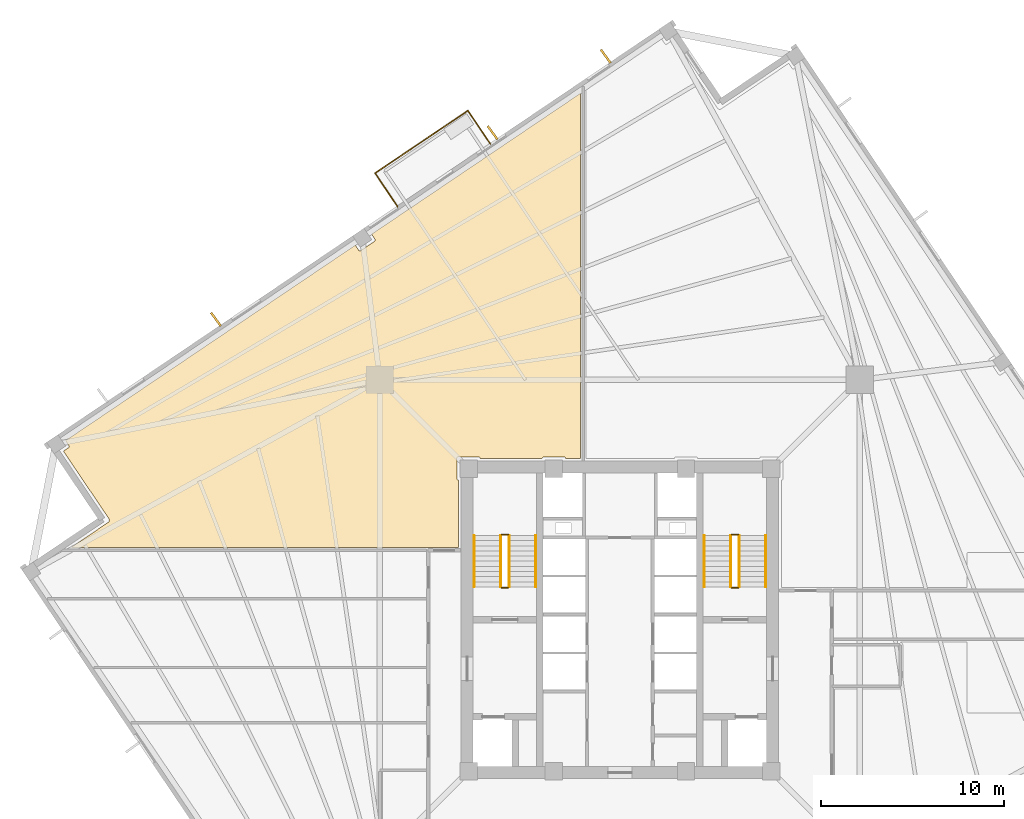
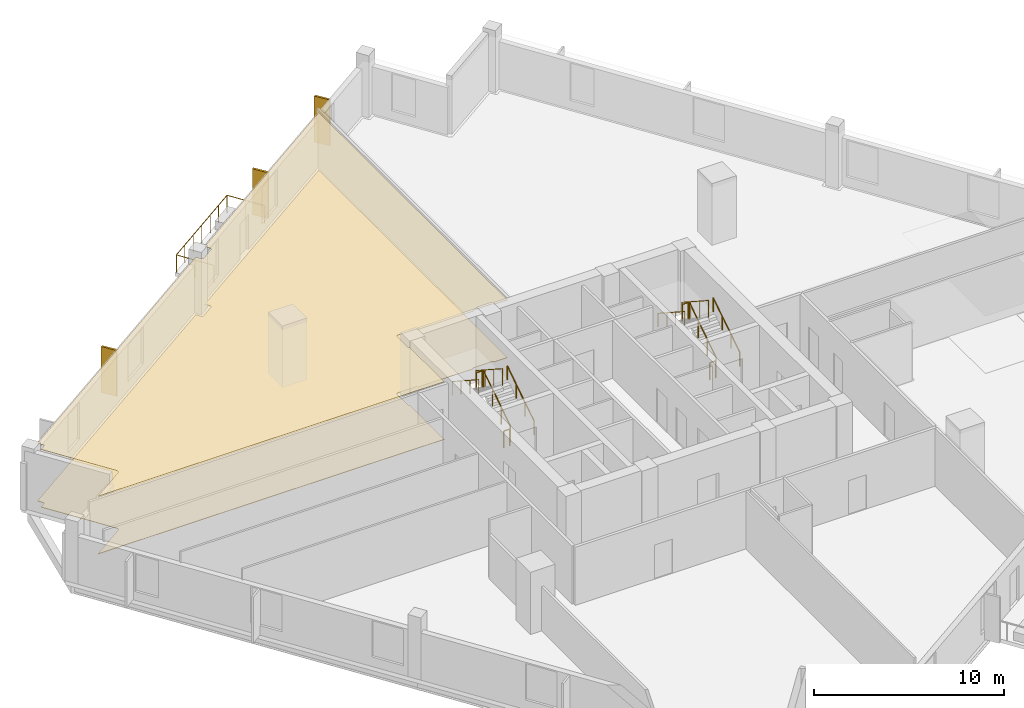
# One storey, part 7 of 8: 15 railings, 5 coverings.
"""IFC4 building model written with IfcOpenShell, lengths in metres."""

from ifc_helpers import new_model, si_unit, direction, frame, origin, origin_2d, place, context, subcontext, project, spatial, polyline, rectangle, circle, outline, extrude, source, transform, mapped, material, layer, layer_set, type_object, element, save


model = new_model("IFC4")

# Units and contexts
model_context = context("Model", 3, precision=1e-05, world=origin(), true_north=direction((0.0, 1.0)))
body_context = subcontext(model_context, "Body", "Model", "MODEL_VIEW")
ifc_project = project(units=[si_unit("LENGTHUNIT", "METRE"), si_unit("AREAUNIT", "SQUARE_METRE"), si_unit("VOLUMEUNIT", "CUBIC_METRE"), si_unit("PLANEANGLEUNIT", "RADIAN"), si_unit("MASSUNIT", "GRAM", prefix="KILO"), si_unit("THERMODYNAMICTEMPERATUREUNIT", "KELVIN")], contexts=[model_context])

# Site, building, storey
site_placement = place(None, origin())
site = spatial("IfcSite", under=ifc_project, at=site_placement, CompositionType="ELEMENT")
building_placement = place(site_placement, origin())
building = spatial("IfcBuilding", under=site, at=building_placement, Name="Kosmvard Interchange Tower", CompositionType="ELEMENT")
storey_placement = place(building_placement, frame((0.0, 0.0, 188.39990234375)))
storey = spatial("IfcBuildingStorey", under=building, at=storey_placement, Name="L45", CompositionType="ELEMENT", Elevation=188.39990234375)

# Coverings
ifc_material_1 = material(Name="Acoustic gypsum ceiling tile")
ifc_layer_1 = layer(ifc_material_1, 0.02490234375, Name="Acoustic gypsum ceiling tile")
ifc_layer_set_1 = layer_set([ifc_layer_1], Name="Acoustic gypsum ceiling tile")
covering_type_1 = type_object("IfcCoveringType", Name="Acoustic Perforated Suspended Ceiling 25", PredefinedType="CEILING", material=ifc_layer_set_1)
covering_1_placement = place(storey_placement, frame((0.0, 0.0, 3.715087890625)))
element("IfcCovering", 1, at=covering_1_placement, inside=storey, type_object=covering_type_1, Name="L45 Acoustic Ceiling L45-OPNW", PredefinedType="CEILING", context=body_context, shape_type="SweptSolid", body=[
    extrude(outline(polyline([(-30.33544921875, 9.199462890625), (-27.858154296875, 5.52685546875), (-27.856201171875, 5.5234375), (-27.852294921875, 5.51708984375), (-27.8486328125, 5.51025390625), (-27.845458984375, 5.503662109375), (-27.84228515625, 5.496337890625), (-27.83984375, 5.489501953125), (-27.837646484375, 5.48193359375), (-27.835693359375, 5.474853515625), (-27.834228515625, 5.467041015625), (-27.8330078125, 5.459716796875), (-27.832275390625, 5.451904296875), (-27.831787109375, 5.444580078125), (-27.831787109375, 5.436767578125), (-27.83203125, 5.429443359375), (-27.832763671875, 5.421630859375), (-27.833984375, 5.41455078125), (-27.83544921875, 5.40673828125), (-27.837158203125, 5.3994140625), (-27.83935546875, 5.39208984375), (-27.841796875, 5.385009765625), (-27.844970703125, 5.377685546875), (-27.847900390625, 5.37109375), (-27.8515625, 5.3642578125), (-27.85546875, 5.35791015625), (-27.859619140625, 5.351318359375), (-27.864013671875, 5.345458984375), (-27.869140625, 5.33935546875), (-27.8740234375, 5.333740234375), (-27.87939453125, 5.328369140625), (-27.884765625, 5.3232421875), (-27.890869140625, 5.318115234375), (-27.89697265625, 5.313720703125), (-27.900146484375, 5.3115234375), (-29.90380859375, 3.9599609375), (-10.10009765625, 3.9599609375), (-10.09619140625, 3.9599609375), (-10.088623046875, 3.95947265625), (-10.080810546875, 3.958740234375), (-10.07373046875, 3.957763671875), (-10.06591796875, 3.9560546875), (-10.061279296875, 3.955078125), (-8.804931640625, 3.955078125), (-8.804931640625, 7.614990234375), (-8.812744140625, 7.615478515625), (-8.820556640625, 7.616455078125), (-8.828125, 7.618408203125), (-8.835693359375, 7.62109375), (-8.8427734375, 7.62451171875), (-8.849365234375, 7.62841796875), (-8.855712890625, 7.633056640625), (-8.861572265625, 7.638427734375), (-8.866943359375, 7.644287109375), (-8.87158203125, 7.650634765625), (-8.87548828125, 7.6572265625), (-8.87890625, 7.664306640625), (-8.881591796875, 7.671875), (-8.883544921875, 7.679443359375), (-8.884521484375, 7.687255859375), (-8.885009765625, 7.695068359375), (-8.885009765625, 8.804931640625), (-8.884521484375, 8.812744140625), (-8.883544921875, 8.820556640625), (-8.881591796875, 8.828125), (-8.87890625, 8.835693359375), (-8.87548828125, 8.8427734375), (-8.87158203125, 8.849365234375), (-8.866943359375, 8.855712890625), (-8.861572265625, 8.861572265625), (-8.855712890625, 8.866943359375), (-8.849365234375, 8.87158203125), (-8.8427734375, 8.87548828125), (-8.835693359375, 8.87890625), (-8.828125, 8.881591796875), (-8.820556640625, 8.883544921875), (-8.812744140625, 8.884521484375), (-8.804931640625, 8.885009765625), (-7.695068359375, 8.885009765625), (-7.687255859375, 8.884521484375), (-7.679443359375, 8.883544921875), (-7.671875, 8.881591796875), (-7.664306640625, 8.87890625), (-7.6572265625, 8.87548828125), (-7.650634765625, 8.87158203125), (-7.644287109375, 8.866943359375), (-7.638427734375, 8.861572265625), (-7.633056640625, 8.855712890625), (-7.62841796875, 8.849365234375), (-7.62451171875, 8.8427734375), (-7.62109375, 8.835693359375), (-7.618408203125, 8.828125), (-7.616455078125, 8.820556640625), (-7.615478515625, 8.812744140625), (-7.614990234375, 8.804931640625), (-4.235107421875, 8.804931640625), (-4.234619140625, 8.812744140625), (-4.2333984375, 8.820556640625), (-4.2314453125, 8.828125), (-4.22900390625, 8.835693359375), (-4.2255859375, 8.8427734375), (-4.221435546875, 8.849365234375), (-4.216796875, 8.855712890625), (-4.211669921875, 8.861572265625), (-4.205810546875, 8.866943359375), (-4.199462890625, 8.87158203125), (-4.192626953125, 8.87548828125), (-4.185546875, 8.87890625), (-4.17822265625, 8.881591796875), (-4.170654296875, 8.883544921875), (-4.162841796875, 8.884521484375), (-4.155029296875, 8.885009765625), (-3.044921875, 8.885009765625), (-3.037109375, 8.884521484375), (-3.029296875, 8.883544921875), (-3.021728515625, 8.881591796875), (-3.014404296875, 8.87890625), (-3.00732421875, 8.87548828125), (-3.00048828125, 8.87158203125), (-2.994140625, 8.866943359375), (-2.988525390625, 8.861572265625), (-2.983154296875, 8.855712890625), (-2.978515625, 8.849365234375), (-2.974365234375, 8.8427734375), (-2.97119140625, 8.835693359375), (-2.968505859375, 8.828125), (-2.966552734375, 8.820556640625), (-2.96533203125, 8.812744140625), (-2.965087890625, 8.804931640625), (-2.159912109375, 8.804931640625), (-2.159912109375, 28.70458984375), (-13.5390625, 21.029296875), (-13.351806640625, 20.75146484375), (-13.34765625, 20.744873046875), (-13.34423828125, 20.73779296875), (-13.341552734375, 20.73046875), (-13.339599609375, 20.72265625), (-13.33837890625, 20.715087890625), (-13.338134765625, 20.70703125), (-13.33837890625, 20.69921875), (-13.339599609375, 20.69140625), (-13.34130859375, 20.683837890625), (-13.343994140625, 20.676513671875), (-13.347412109375, 20.66943359375), (-13.351318359375, 20.66259765625), (-13.35595703125, 20.65625), (-13.361328125, 20.650390625), (-13.366943359375, 20.645263671875), (-13.373291015625, 20.640380859375), (-14.127685546875, 20.131591796875), (-14.134521484375, 20.12744140625), (-14.1416015625, 20.124267578125), (-14.14892578125, 20.12158203125), (-14.156494140625, 20.11962890625), (-14.164306640625, 20.118408203125), (-14.172119140625, 20.117919921875), (-14.179931640625, 20.1181640625), (-14.187744140625, 20.119384765625), (-14.1953125, 20.121337890625), (-14.202880859375, 20.123779296875), (-14.2099609375, 20.127197265625), (-14.216552734375, 20.131103515625), (-14.222900390625, 20.1357421875), (-14.228759765625, 20.14111328125), (-14.234130859375, 20.14697265625), (-14.23876953125, 20.153076171875), (-14.42626953125, 20.430908203125), (-30.223388671875, 9.775390625), (-30.0361328125, 9.497802734375), (-30.031982421875, 9.490966796875), (-30.028564453125, 9.48388671875), (-30.02587890625, 9.4765625), (-30.024169921875, 9.468994140625), (-30.02294921875, 9.461181640625), (-30.0224609375, 9.453369140625), (-30.022705078125, 9.445556640625), (-30.02392578125, 9.437744140625), (-30.02587890625, 9.43017578125), (-30.0283203125, 9.4228515625), (-30.03173828125, 9.41552734375), (-30.03564453125, 9.408935546875), (-30.040283203125, 9.402587890625), (-30.045654296875, 9.396728515625), (-30.051513671875, 9.391357421875), (-30.0576171875, 9.38671875), (-30.33544921875, 9.199462890625)])), origin(), (0.0, 0.0, 1.0), 0.02490234375),
])
ifc_material_2 = material(Name="Polished terrazzo flooring")
ifc_layer_2 = layer(ifc_material_2, 0.030029296875, Name="Polished terrazzo flooring")
ifc_layer_set_2 = layer_set([ifc_layer_2], Name="Polished terrazzo flooring")
covering_type_2 = type_object("IfcCoveringType", Name="Heavy-Duty Terrazzo & Porcelain Flooring 30", PredefinedType="FLOORING", material=ifc_layer_set_2)
covering_2_placement = place(storey_placement, origin())
element("IfcCovering", 2, at=covering_2_placement, inside=storey, type_object=covering_type_2, Name="L45 Floor Finish L45-OPNW", PredefinedType="FLOORING", context=body_context, shape_type="SweptSolid", body=[
    extrude(outline(polyline([(-30.33544921875, 9.199462890625), (-27.858154296875, 5.52685546875), (-27.856201171875, 5.5234375), (-27.852294921875, 5.51708984375), (-27.8486328125, 5.51025390625), (-27.845458984375, 5.503662109375), (-27.84228515625, 5.496337890625), (-27.83984375, 5.489501953125), (-27.837646484375, 5.48193359375), (-27.835693359375, 5.474853515625), (-27.834228515625, 5.467041015625), (-27.8330078125, 5.459716796875), (-27.832275390625, 5.451904296875), (-27.831787109375, 5.444580078125), (-27.831787109375, 5.436767578125), (-27.83203125, 5.429443359375), (-27.832763671875, 5.421630859375), (-27.833984375, 5.41455078125), (-27.83544921875, 5.40673828125), (-27.837158203125, 5.3994140625), (-27.83935546875, 5.39208984375), (-27.841796875, 5.385009765625), (-27.844970703125, 5.377685546875), (-27.847900390625, 5.37109375), (-27.8515625, 5.3642578125), (-27.85546875, 5.35791015625), (-27.859619140625, 5.351318359375), (-27.864013671875, 5.345458984375), (-27.869140625, 5.33935546875), (-27.8740234375, 5.333740234375), (-27.87939453125, 5.328369140625), (-27.884765625, 5.3232421875), (-27.890869140625, 5.318115234375), (-27.89697265625, 5.313720703125), (-27.900146484375, 5.3115234375), (-29.90380859375, 3.9599609375), (-10.10009765625, 3.9599609375), (-10.09619140625, 3.9599609375), (-10.088623046875, 3.95947265625), (-10.080810546875, 3.958740234375), (-10.07373046875, 3.957763671875), (-10.06591796875, 3.9560546875), (-10.061279296875, 3.955078125), (-8.804931640625, 3.955078125), (-8.804931640625, 7.614990234375), (-8.812744140625, 7.615478515625), (-8.820556640625, 7.616455078125), (-8.828125, 7.618408203125), (-8.835693359375, 7.62109375), (-8.8427734375, 7.62451171875), (-8.849365234375, 7.62841796875), (-8.855712890625, 7.633056640625), (-8.861572265625, 7.638427734375), (-8.866943359375, 7.644287109375), (-8.87158203125, 7.650634765625), (-8.87548828125, 7.6572265625), (-8.87890625, 7.664306640625), (-8.881591796875, 7.671875), (-8.883544921875, 7.679443359375), (-8.884521484375, 7.687255859375), (-8.885009765625, 7.695068359375), (-8.885009765625, 8.804931640625), (-8.884521484375, 8.812744140625), (-8.883544921875, 8.820556640625), (-8.881591796875, 8.828125), (-8.87890625, 8.835693359375), (-8.87548828125, 8.8427734375), (-8.87158203125, 8.849365234375), (-8.866943359375, 8.855712890625), (-8.861572265625, 8.861572265625), (-8.855712890625, 8.866943359375), (-8.849365234375, 8.87158203125), (-8.8427734375, 8.87548828125), (-8.835693359375, 8.87890625), (-8.828125, 8.881591796875), (-8.820556640625, 8.883544921875), (-8.812744140625, 8.884521484375), (-8.804931640625, 8.885009765625), (-7.695068359375, 8.885009765625), (-7.687255859375, 8.884521484375), (-7.679443359375, 8.883544921875), (-7.671875, 8.881591796875), (-7.664306640625, 8.87890625), (-7.6572265625, 8.87548828125), (-7.650634765625, 8.87158203125), (-7.644287109375, 8.866943359375), (-7.638427734375, 8.861572265625), (-7.633056640625, 8.855712890625), (-7.62841796875, 8.849365234375), (-7.62451171875, 8.8427734375), (-7.62109375, 8.835693359375), (-7.618408203125, 8.828125), (-7.616455078125, 8.820556640625), (-7.615478515625, 8.812744140625), (-7.614990234375, 8.804931640625), (-4.235107421875, 8.804931640625), (-4.234619140625, 8.812744140625), (-4.2333984375, 8.820556640625), (-4.2314453125, 8.828125), (-4.22900390625, 8.835693359375), (-4.2255859375, 8.8427734375), (-4.221435546875, 8.849365234375), (-4.216796875, 8.855712890625), (-4.211669921875, 8.861572265625), (-4.205810546875, 8.866943359375), (-4.199462890625, 8.87158203125), (-4.192626953125, 8.87548828125), (-4.185546875, 8.87890625), (-4.17822265625, 8.881591796875), (-4.170654296875, 8.883544921875), (-4.162841796875, 8.884521484375), (-4.155029296875, 8.885009765625), (-3.044921875, 8.885009765625), (-3.037109375, 8.884521484375), (-3.029296875, 8.883544921875), (-3.021728515625, 8.881591796875), (-3.014404296875, 8.87890625), (-3.00732421875, 8.87548828125), (-3.00048828125, 8.87158203125), (-2.994140625, 8.866943359375), (-2.988525390625, 8.861572265625), (-2.983154296875, 8.855712890625), (-2.978515625, 8.849365234375), (-2.974365234375, 8.8427734375), (-2.97119140625, 8.835693359375), (-2.968505859375, 8.828125), (-2.966552734375, 8.820556640625), (-2.96533203125, 8.812744140625), (-2.965087890625, 8.804931640625), (-2.159912109375, 8.804931640625), (-2.159912109375, 28.70458984375), (-13.5390625, 21.029296875), (-13.351806640625, 20.75146484375), (-13.34765625, 20.744873046875), (-13.34423828125, 20.73779296875), (-13.341552734375, 20.73046875), (-13.339599609375, 20.72265625), (-13.33837890625, 20.715087890625), (-13.338134765625, 20.70703125), (-13.33837890625, 20.69921875), (-13.339599609375, 20.69140625), (-13.34130859375, 20.683837890625), (-13.343994140625, 20.676513671875), (-13.347412109375, 20.66943359375), (-13.351318359375, 20.66259765625), (-13.35595703125, 20.65625), (-13.361328125, 20.650390625), (-13.366943359375, 20.645263671875), (-13.373291015625, 20.640380859375), (-14.127685546875, 20.131591796875), (-14.134521484375, 20.12744140625), (-14.1416015625, 20.124267578125), (-14.14892578125, 20.12158203125), (-14.156494140625, 20.11962890625), (-14.164306640625, 20.118408203125), (-14.172119140625, 20.117919921875), (-14.179931640625, 20.1181640625), (-14.187744140625, 20.119384765625), (-14.1953125, 20.121337890625), (-14.202880859375, 20.123779296875), (-14.2099609375, 20.127197265625), (-14.216552734375, 20.131103515625), (-14.222900390625, 20.1357421875), (-14.228759765625, 20.14111328125), (-14.234130859375, 20.14697265625), (-14.23876953125, 20.153076171875), (-14.42626953125, 20.430908203125), (-30.223388671875, 9.775390625), (-30.0361328125, 9.497802734375), (-30.031982421875, 9.490966796875), (-30.028564453125, 9.48388671875), (-30.02587890625, 9.4765625), (-30.024169921875, 9.468994140625), (-30.02294921875, 9.461181640625), (-30.0224609375, 9.453369140625), (-30.022705078125, 9.445556640625), (-30.02392578125, 9.437744140625), (-30.02587890625, 9.43017578125), (-30.0283203125, 9.4228515625), (-30.03173828125, 9.41552734375), (-30.03564453125, 9.408935546875), (-30.040283203125, 9.402587890625), (-30.045654296875, 9.396728515625), (-30.051513671875, 9.391357421875), (-30.0576171875, 9.38671875), (-30.33544921875, 9.199462890625)])), origin(), (0.0, 0.0, 1.0), 0.030029296875),
])
ifc_material_3 = material(Name="Architectural anodised aluminium", Category="aluminium")
ifc_layer_3 = layer(ifc_material_3, 0.1201171875, Name="Architectural anodised aluminium")
ifc_layer_set_3 = layer_set([ifc_layer_3], Name="Architectural anodised aluminium")
covering_type_3 = type_object("IfcCoveringType", Name="Rotating Vertical Sun-Breaker Fin 900x120 Aluminium", PredefinedType="CLADDING", material=ifc_layer_set_3)
shared_shape_1 = source(origin(), body_context, "Body", "SweptSolid", [
    extrude(rectangle(XDim=0.89990234375, YDim=0.1201171875, at=origin_2d()), origin(), (0.0, 0.0, 1.0), 2.9599609375),
])
for number, where, z_axis, x_axis, name in (
    (3, (-0.774169921875, 30.718994140625, 0.0400390625), (0.0, 0.0, 1.0), (-0.588208772008, 0.808709119852, 0.0), "L45 Rotating Vertical Sun-Breaker Fin 09"),
    (4, (-6.943115234375, 26.557861328125, 0.0400390625), (0.0, 0.0, 1.0), (-0.588208772008, 0.808709119852, 0.0), "L45 Rotating Vertical Sun-Breaker Fin 10"),
    (5, (-22.02294921875, 16.38623046875, 0.0400390625), (0.0, 0.0, 1.0), (-0.588208772008, 0.808709119852, 0.0), "L45 Rotating Vertical Sun-Breaker Fin 11"),
):
    element("IfcCovering", number, at=place(storey_placement, frame(where, z_axis=z_axis, x_axis=x_axis)), inside=storey, type_object=covering_type_3, Name=name, PredefinedType="CLADDING", context=body_context, shape_type="MappedRepresentation", body=[
        mapped(shared_shape_1, transform((0.0, 0.0, 0.0), scale=1.0)),
    ])

# Railings
ifc_material_4 = material(Name="Steel S355", Category="steel")
railing_type_1 = type_object("IfcRailingType", Name="Observation & Balcony Glass-Infill Balustrade 1150", PredefinedType="BALUSTRADE", material=ifc_material_4)
shared_shape_2 = source(origin(), body_context, "Body", "SweptSolid", [
    extrude(circle(Radius=0.02392578125, at=origin_2d()), frame((0.0, 0.0, 1.1259765625), z_axis=(0.559173597279, -0.829050594418, 0.0), x_axis=(0.829050594418, 0.559173597279, 0.0)), (0.0, 0.0, 1.0), 2.2001953125),
    extrude(circle(Radius=0.02099609375, at=origin_2d()), origin(), (0.0, 0.0, 1.0), 1.101806640625),
    extrude(circle(Radius=0.02099609375, at=origin_2d()), frame((0.615234375, -0.912109375, 0.0)), (0.0, 0.0, 1.0), 1.101806640625),
    extrude(circle(Radius=0.02099609375, at=origin_2d()), frame((1.230224609375, -1.823974609375, 0.0)), (0.0, 0.0, 1.0), 1.101806640625),
])
railing_1_placement = place(storey_placement, frame((-13.34765625, 24.348876953125, 0.0)))
element("IfcRailing", 6, at=railing_1_placement, inside=storey, type_object=railing_type_1, Name="L45 Outdoor Terrace Guard BAL-L45-N-C", PredefinedType="BALUSTRADE", context=body_context, shape_type="MappedRepresentation", body=[
    mapped(shared_shape_2, transform((0.0, 0.0, 0.0), scale=1.0)),
])
shared_shape_3 = source(origin(), body_context, "Body", "SweptSolid", [
    extrude(circle(Radius=0.02392578125, at=origin_2d()), frame((0.0, 0.0, 1.1259765625), z_axis=(-0.559173597279, 0.829050594418, 0.0), x_axis=(-0.829050594418, -0.559173597279, 0.0)), (0.0, 0.0, 1.0), 2.2001953125),
    extrude(circle(Radius=0.02099609375, at=origin_2d()), origin(), (0.0, 0.0, 1.0), 1.101806640625),
    extrude(circle(Radius=0.02099609375, at=origin_2d()), frame((-0.615234375, 0.912109375, 0.0)), (0.0, 0.0, 1.0), 1.101806640625),
    extrude(circle(Radius=0.02099609375, at=origin_2d()), frame((-1.230224609375, 1.823974609375, 0.0)), (0.0, 0.0, 1.0), 1.101806640625),
])
railing_2_placement = place(storey_placement, frame((-7.060302734375, 25.93603515625, 0.0)))
element("IfcRailing", 7, at=railing_2_placement, inside=storey, type_object=railing_type_1, Name="L45 Outdoor Terrace Guard BAL-L45-N-A", PredefinedType="BALUSTRADE", context=body_context, shape_type="MappedRepresentation", body=[
    mapped(shared_shape_3, transform((0.0, 0.0, 0.0), scale=1.0)),
])
shared_shape_4 = source(origin(), body_context, "Body", "SweptSolid", [
    extrude(circle(Radius=0.02392578125, at=origin_2d()), frame((0.0, 0.0, 1.1259765625), z_axis=(-0.829033294248, -0.55919924627, 0.0), x_axis=(0.55919924627, -0.829033294248, 0.0)), (0.0, 0.0, 1.0), 6.10009765625),
    extrude(circle(Radius=0.02099609375, at=origin_2d()), origin(), (0.0, 0.0, 1.0), 1.101806640625),
    extrude(circle(Radius=0.02099609375, at=origin_2d()), frame((-0.8427734375, -0.568603515625, 0.0)), (0.0, 0.0, 1.0), 1.101806640625),
    extrude(circle(Radius=0.02099609375, at=origin_2d()), frame((-1.685791015625, -1.136962890625, 0.0)), (0.0, 0.0, 1.0), 1.101806640625),
    extrude(circle(Radius=0.02099609375, at=origin_2d()), frame((-2.528564453125, -1.70556640625, 0.0)), (0.0, 0.0, 1.0), 1.101806640625),
    extrude(circle(Radius=0.02099609375, at=origin_2d()), frame((-3.371337890625, -2.274169921875, 0.0)), (0.0, 0.0, 1.0), 1.101806640625),
    extrude(circle(Radius=0.02099609375, at=origin_2d()), frame((-4.21435546875, -2.842529296875, 0.0)), (0.0, 0.0, 1.0), 1.101806640625),
    extrude(circle(Radius=0.02099609375, at=origin_2d()), frame((-5.05712890625, -3.4111328125, 0.0)), (0.0, 0.0, 1.0), 1.101806640625),
])
railing_3_placement = place(storey_placement, frame((-8.29052734375, 27.760009765625, 0.0)))
element("IfcRailing", 8, at=railing_3_placement, inside=storey, type_object=railing_type_1, Name="L45 Outdoor Terrace Guard BAL-L45-N-B", PredefinedType="BALUSTRADE", context=body_context, shape_type="MappedRepresentation", body=[
    mapped(shared_shape_4, transform((0.0, 0.0, 0.0), scale=1.0)),
])
railing_type_2 = type_object("IfcRailingType", Name="Stair & Terrace Safety Guardrail 1100 Steel", PredefinedType="GUARDRAIL", material=ifc_material_4)
shared_shape_5 = source(origin(), body_context, "Body", "SweptSolid", [
    extrude(circle(Radius=0.02392578125, at=origin_2d()), frame((0.0, 0.0, 1.076171875), z_axis=(-1.0, 0.0, 0.0), x_axis=(0.0, -1.0, 0.0)), (0.0, 0.0, 1.0), 0.35986328125),
    extrude(circle(Radius=0.02099609375, at=origin_2d()), origin(), (0.0, 0.0, 1.0), 1.052001953125),
    extrude(circle(Radius=0.02099609375, at=origin_2d()), frame((-0.35986328125, 0.0, 0.0)), (0.0, 0.0, 1.0), 1.052001953125),
])
for number, where, name in (
    (9, (-6.090087890625, 4.64990234375, 2.0), "L45 ST-1 stair guard 2"),
    (10, (-6.090087890625, 1.75, 0.0), "L45 ST-1 stair guard 4"),
    (11, (6.449951171875, 4.64990234375, 2.0), "L45 ST-2 stair guard 2"),
    (12, (6.449951171875, 1.75, 0.0), "L45 ST-2 stair guard 4"),
):
    element("IfcRailing", number, at=place(storey_placement, frame(where)), inside=storey, type_object=railing_type_2, Name=name, PredefinedType="GUARDRAIL", context=body_context, shape_type="MappedRepresentation", body=[
        mapped(shared_shape_5, transform((0.0, 0.0, 0.0), scale=1.0)),
    ])
shared_shape_6 = source(origin(), body_context, "Body", "SweptSolid", [
    extrude(circle(Radius=0.02392578125, at=origin_2d()), frame((0.0, 0.0, 1.076171875), z_axis=(0.0, 0.838705829183, 0.544584733623), x_axis=(-1.0, 0.0, 0.0)), (0.0, 0.0, 1.0), 3.338623046875),
    extrude(circle(Radius=0.02099609375, at=origin_2d()), origin(), (0.0, 0.0, 1.0), 1.052001953125),
    extrude(circle(Radius=0.02099609375, at=origin_2d()), frame((0.0, 0.933349609375, 0.60595703125)), (0.0, 0.0, 1.0), 1.052001953125),
    extrude(circle(Radius=0.02099609375, at=origin_2d()), frame((0.0, 1.86669921875, 1.212158203125)), (0.0, 0.0, 1.0), 1.052001953125),
    extrude(circle(Radius=0.02099609375, at=origin_2d()), frame((0.0, 2.800048828125, 1.818115234375)), (0.0, 0.0, 1.0), 1.052001953125),
])
for number, where, name in (
    (13, (-6.0400390625, 1.800048828125, 0.181884765625), "L45 ST-1 stair guard 1"),
    (14, (6.5, 1.800048828125, 0.181884765625), "L45 ST-2 stair guard 1"),
):
    element("IfcRailing", number, at=place(storey_placement, frame(where)), inside=storey, type_object=railing_type_2, Name=name, PredefinedType="GUARDRAIL", context=body_context, shape_type="MappedRepresentation", body=[
        mapped(shared_shape_6, transform((0.0, 0.0, 0.0), scale=1.0)),
    ])
shared_shape_7 = source(origin(), body_context, "Body", "SweptSolid", [
    extrude(circle(Radius=0.02392578125, at=origin_2d()), frame((0.0, 0.0, 1.076171875), z_axis=(0.0, -0.838705829183, 0.544584733623), x_axis=(1.0, 0.0, 0.0)), (0.0, 0.0, 1.0), 3.338623046875),
    extrude(circle(Radius=0.02099609375, at=origin_2d()), origin(), (0.0, 0.0, 1.0), 1.052001953125),
    extrude(circle(Radius=0.02099609375, at=origin_2d()), frame((0.0, -0.933349609375, 0.60595703125)), (0.0, 0.0, 1.0), 1.052001953125),
    extrude(circle(Radius=0.02099609375, at=origin_2d()), frame((0.0, -1.86669921875, 1.212158203125)), (0.0, 0.0, 1.0), 1.052001953125),
    extrude(circle(Radius=0.02099609375, at=origin_2d()), frame((0.0, -2.800048828125, 1.818115234375)), (0.0, 0.0, 1.0), 1.052001953125),
])
for number, where, name in (
    (15, (-6.5, 4.60009765625, 2.181884765625), "L45 ST-1 stair guard 3"),
    (16, (6.0400390625, 4.60009765625, 2.181884765625), "L45 ST-2 stair guard 3"),
):
    element("IfcRailing", number, at=place(storey_placement, frame(where)), inside=storey, type_object=railing_type_2, Name=name, PredefinedType="GUARDRAIL", context=body_context, shape_type="MappedRepresentation", body=[
        mapped(shared_shape_7, transform((0.0, 0.0, 0.0), scale=1.0)),
    ])
railing_type_3 = type_object("IfcRailingType", Name="Wall-Mounted Stair Handrail 900 Steel", PredefinedType="HANDRAIL", material=ifc_material_4)
shared_shape_8 = source(origin(), body_context, "Body", "SweptSolid", [
    extrude(circle(Radius=0.02392578125, at=origin_2d()), frame((0.0, 0.0, 0.8759765625), z_axis=(0.0, 0.838705829183, 0.544584733623), x_axis=(-1.0, 0.0, 0.0)), (0.0, 0.0, 1.0), 3.338623046875),
    extrude(circle(Radius=0.02099609375, at=origin_2d()), origin(), (0.0, 0.0, 1.0), 0.851806640625),
    extrude(circle(Radius=0.02099609375, at=origin_2d()), frame((0.0, 0.933349609375, 0.60595703125)), (0.0, 0.0, 1.0), 0.851806640625),
    extrude(circle(Radius=0.02099609375, at=origin_2d()), frame((0.0, 1.86669921875, 1.212158203125)), (0.0, 0.0, 1.0), 0.851806640625),
    extrude(circle(Radius=0.02099609375, at=origin_2d()), frame((0.0, 2.800048828125, 1.818115234375)), (0.0, 0.0, 1.0), 0.851806640625),
])
for number, where, name in (
    (17, (-4.590087890625, 1.800048828125, 0.181884765625), "L45 ST-1 stair handrail 1"),
    (18, (7.949951171875, 1.800048828125, 0.181884765625), "L45 ST-2 stair handrail 1"),
):
    element("IfcRailing", number, at=place(storey_placement, frame(where)), inside=storey, type_object=railing_type_3, Name=name, PredefinedType="HANDRAIL", context=body_context, shape_type="MappedRepresentation", body=[
        mapped(shared_shape_8, transform((0.0, 0.0, 0.0), scale=1.0)),
    ])
shared_shape_9 = source(origin(), body_context, "Body", "SweptSolid", [
    extrude(circle(Radius=0.02392578125, at=origin_2d()), frame((0.0, 0.0, 0.8759765625), z_axis=(0.0, -0.838705829183, 0.544584733623), x_axis=(1.0, 0.0, 0.0)), (0.0, 0.0, 1.0), 3.338623046875),
    extrude(circle(Radius=0.02099609375, at=origin_2d()), origin(), (0.0, 0.0, 1.0), 0.851806640625),
    extrude(circle(Radius=0.02099609375, at=origin_2d()), frame((0.0, -0.933349609375, 0.60595703125)), (0.0, 0.0, 1.0), 0.851806640625),
    extrude(circle(Radius=0.02099609375, at=origin_2d()), frame((0.0, -1.86669921875, 1.212158203125)), (0.0, 0.0, 1.0), 0.851806640625),
    extrude(circle(Radius=0.02099609375, at=origin_2d()), frame((0.0, -2.800048828125, 1.818115234375)), (0.0, 0.0, 1.0), 0.851806640625),
])
for number, where, name in (
    (19, (-7.949951171875, 4.60009765625, 2.181884765625), "L45 ST-1 stair handrail 2"),
    (20, (4.590087890625, 4.60009765625, 2.181884765625), "L45 ST-2 stair handrail 2"),
):
    element("IfcRailing", number, at=place(storey_placement, frame(where)), inside=storey, type_object=railing_type_3, Name=name, PredefinedType="HANDRAIL", context=body_context, shape_type="MappedRepresentation", body=[
        mapped(shared_shape_9, transform((0.0, 0.0, 0.0), scale=1.0)),
    ])

save(model, "model.ifc")
